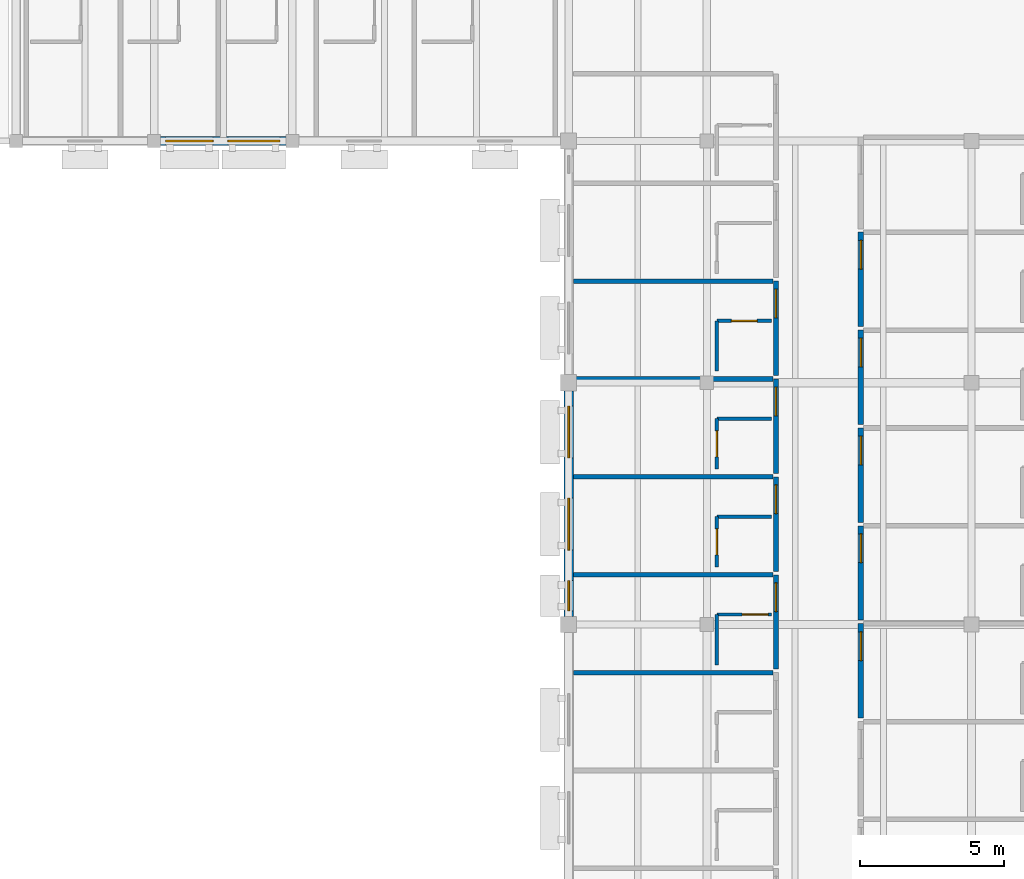
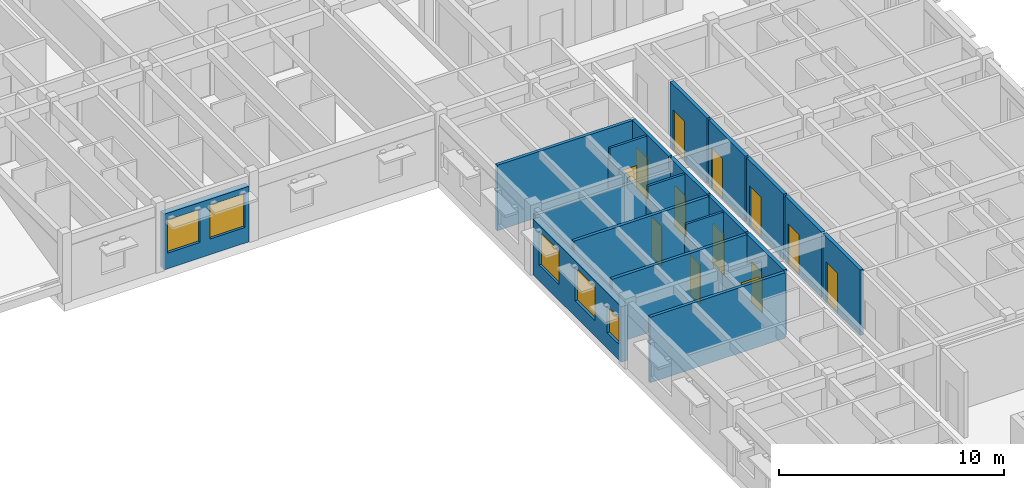
# One storey, part 30 of 40: 24 walls, 13 doors, 5 windows, 18 openings.
"""IFC4 building model written with IfcOpenShell, lengths in metres."""

from ifc_helpers import new_model, si_unit, direction, frame, frame_2d, origin, place, context, subcontext, project, spatial, rectangle, extrude, material, layer, layer_set, type_object, element, fill, save


model = new_model("IFC4")

# Units and contexts
model_context = context("Model", 3, precision=1e-05, world=origin(), true_north=direction((0.0, 1.0)))
body_context = subcontext(model_context, "Body", "Model", "MODEL_VIEW")
ifc_project = project(units=[si_unit("LENGTHUNIT", "METRE"), si_unit("AREAUNIT", "SQUARE_METRE"), si_unit("VOLUMEUNIT", "CUBIC_METRE"), si_unit("PLANEANGLEUNIT", "RADIAN"), si_unit("MASSUNIT", "GRAM", prefix="KILO")], contexts=[model_context])

# Site, building, storey
site_placement = place(None, origin())
site = spatial("IfcSite", under=ifc_project, at=site_placement, CompositionType="ELEMENT")
building_placement = place(site_placement, origin())
building = spatial("IfcBuilding", under=site, at=building_placement, Name="Veldera Park Congress Hotel", CompositionType="ELEMENT")
storey_placement = place(building_placement, frame((0.0, 0.0, 16.199951171875)))
storey = spatial("IfcBuildingStorey", under=building, at=storey_placement, Name="L03", CompositionType="ELEMENT", Elevation=16.199951171875)

# Wall, openings, windows
ifc_material_1 = material(Name="Cross-laminated timber CLT V2M1.1", Category="wood")
ifc_layer_1 = layer(ifc_material_1, 0.320068359375)
ifc_layer_set_1 = layer_set([ifc_layer_1], Name="Cross-laminated timber CLT V2M1.1")
wall_type_1 = type_object("IfcWallType", Name="EW-CLT320", PredefinedType="STANDARD", material=ifc_layer_set_1)
wall_1_placement = place(storey_placement, frame((46.623046875, 27.0, 0.0), z_axis=(0.0, 0.0, 1.0), x_axis=(1.0, 0.0, 0.0)))
wall_1 = element("IfcWall", 1, at=wall_1_placement, inside=storey, type_object=wall_type_1, Name="L03 Exterior Wall EW3-L03-0231", PredefinedType="STANDARD", context=body_context, shape_type="SweptSolid", body=[
    extrude(rectangle(XDim=4.35400390625, YDim=0.320068359375, at=frame_2d((2.177001953125, 0.0))), origin(), (0.0, 0.0, 1.0), 3.01513671875),
])
opening_1_placement = place(wall_1_placement, frame((0.178466796875, 0.0, 0.85009765625)))
opening_1 = element("IfcOpeningElement", 2, at=opening_1_placement, cuts=wall_1, Name="Opening WIN-1650", PredefinedType="OPENING", context=body_context, shape_type="SweptSolid", body=[
    extrude(rectangle(XDim=1.64990234375, YDim=1.800048828125, at=frame_2d((0.824951171875, 0.89990234375))), frame((0.0, 0.172119140625, 0.0), z_axis=(0.0, -1.0, 0.0), x_axis=(1.0, 0.0, 0.0)), (0.0, 0.0, 1.0), 0.343994140625),
])
opening_2_placement = place(wall_1_placement, frame((2.340576171875, 0.0, 0.85009765625)))
opening_2 = element("IfcOpeningElement", 3, at=opening_2_placement, cuts=wall_1, Name="Opening WIN-1800", PredefinedType="OPENING", context=body_context, shape_type="SweptSolid", body=[
    extrude(rectangle(XDim=1.800048828125, YDim=1.85009765625, at=frame_2d((0.89990234375, 0.925048828125))), frame((0.0, 0.172119140625, 0.0), z_axis=(0.0, -1.0, 0.0), x_axis=(1.0, 0.0, 0.0)), (0.0, 0.0, 1.0), 0.343994140625),
])
ifc_material_2 = material(Name="Low-E Triple Insulating Glass Unit (SHGC 0.22)", Category="glass")
window_type_1 = type_object("IfcWindowType", Name="WIN-1650", PartitioningType="SINGLE_PANEL", PredefinedType="WINDOW", material=ifc_material_2)
window_1_placement = place(opening_1_placement, origin())
window_1 = element("IfcWindow", 4, at=window_1_placement, inside=storey, type_object=window_type_1, Name="L03 Window WIN-1650 436", OverallHeight=1.800048828125, OverallWidth=1.64990234375, PartitioningType="SINGLE_PANEL", PredefinedType="WINDOW", context=body_context, shape_type="SweptSolid", body=[
    extrude(rectangle(XDim=1.64990234375, YDim=1.800048828125, at=frame_2d((0.824951171875, 0.89990234375))), frame((0.0, 0.030029296875, 0.0), z_axis=(0.0, -1.0, 0.0), x_axis=(1.0, 0.0, 0.0)), (0.0, 0.0, 1.0), 0.06005859375),
])
fill(opening_1, window_1)
window_type_2 = type_object("IfcWindowType", Name="WIN-1800", PartitioningType="SINGLE_PANEL", PredefinedType="WINDOW", material=ifc_material_2)
window_2_placement = place(opening_2_placement, origin())
window_2 = element("IfcWindow", 5, at=window_2_placement, inside=storey, type_object=window_type_2, Name="L03 Window WIN-1800 437", OverallHeight=1.85009765625, OverallWidth=1.800048828125, PartitioningType="SINGLE_PANEL", PredefinedType="WINDOW", context=body_context, shape_type="SweptSolid", body=[
    extrude(rectangle(XDim=1.800048828125, YDim=1.85009765625, at=frame_2d((0.89990234375, 0.925048828125))), frame((0.0, 0.030029296875, 0.0), z_axis=(0.0, -1.0, 0.0), x_axis=(1.0, 0.0, 0.0)), (0.0, 0.0, 1.0), 0.06005859375),
])
fill(opening_2, window_2)

wall_2_placement = place(storey_placement, frame((60.800048828125, 18.322021484375, 0.0), z_axis=(0.0, 0.0, 1.0), x_axis=(0.0, -1.0, 0.0)))
wall_2 = element("IfcWall", 6, at=wall_2_placement, inside=storey, type_object=wall_type_1, Name="L03 Exterior Wall EW3-L03-0234", PredefinedType="STANDARD", context=body_context, shape_type="SweptSolid", body=[
    extrude(rectangle(XDim=7.843994140625, YDim=0.320068359375, at=frame_2d((3.921875, 0.0))), origin(), (0.0, 0.0, 1.0), 3.01513671875),
])
opening_3_placement = place(wall_2_placement, frame((6.593017578125, 0.0, 0.85009765625)))
opening_3 = element("IfcOpeningElement", 7, at=opening_3_placement, cuts=wall_2, Name="Opening WIN-1050", PredefinedType="OPENING", context=body_context, shape_type="SweptSolid", body=[
    extrude(rectangle(XDim=1.050048828125, YDim=1.449951171875, at=frame_2d((0.52490234375, 0.72509765625))), frame((0.0, 0.172119140625, 0.0), z_axis=(0.0, -1.0, 0.0), x_axis=(1.0, 0.0, 0.0)), (0.0, 0.0, 1.0), 0.343994140625),
])
opening_4_placement = place(wall_2_placement, frame((3.73193359375, 0.0, 0.85009765625)))
opening_4 = element("IfcOpeningElement", 8, at=opening_4_placement, cuts=wall_2, Name="Opening WIN-1800", PredefinedType="OPENING", context=body_context, shape_type="SweptSolid", body=[
    extrude(rectangle(XDim=1.800048828125, YDim=1.85009765625, at=frame_2d((0.89990234375, 0.925048828125))), frame((0.0, 0.172119140625, 0.0), z_axis=(0.0, -1.0, 0.0), x_axis=(1.0, 0.0, 0.0)), (0.0, 0.0, 1.0), 0.343994140625),
])
opening_5_placement = place(wall_2_placement, frame((0.535888671875, 0.0, 0.85009765625)))
opening_5 = element("IfcOpeningElement", 9, at=opening_5_placement, cuts=wall_2, Name="Opening WIN-1800", PredefinedType="OPENING", context=body_context, shape_type="SweptSolid", body=[
    extrude(rectangle(XDim=1.800048828125, YDim=1.85009765625, at=frame_2d((0.89990234375, 0.925048828125))), frame((0.0, 0.172119140625, 0.0), z_axis=(0.0, -1.0, 0.0), x_axis=(1.0, 0.0, 0.0)), (0.0, 0.0, 1.0), 0.343994140625),
])
window_type_3 = type_object("IfcWindowType", Name="WIN-1050", PartitioningType="SINGLE_PANEL", PredefinedType="WINDOW", material=ifc_material_2)
window_3_placement = place(opening_3_placement, origin())
window_3 = element("IfcWindow", 10, at=window_3_placement, inside=storey, type_object=window_type_3, Name="L03 Window WIN-1050 412", OverallHeight=1.449951171875, OverallWidth=1.050048828125, PartitioningType="SINGLE_PANEL", PredefinedType="WINDOW", context=body_context, shape_type="SweptSolid", body=[
    extrude(rectangle(XDim=1.050048828125, YDim=1.449951171875, at=frame_2d((0.52490234375, 0.72509765625))), frame((0.0, 0.030029296875, 0.0), z_axis=(0.0, -1.0, 0.0), x_axis=(1.0, 0.0, 0.0)), (0.0, 0.0, 1.0), 0.06005859375),
])
fill(opening_3, window_3)
window_4_placement = place(opening_4_placement, origin())
window_4 = element("IfcWindow", 11, at=window_4_placement, inside=storey, type_object=window_type_2, Name="L03 Window WIN-1800 413", OverallHeight=1.85009765625, OverallWidth=1.800048828125, PartitioningType="SINGLE_PANEL", PredefinedType="WINDOW", context=body_context, shape_type="SweptSolid", body=[
    extrude(rectangle(XDim=1.800048828125, YDim=1.85009765625, at=frame_2d((0.89990234375, 0.925048828125))), frame((0.0, 0.030029296875, 0.0), z_axis=(0.0, -1.0, 0.0), x_axis=(1.0, 0.0, 0.0)), (0.0, 0.0, 1.0), 0.06005859375),
])
fill(opening_4, window_4)
window_5_placement = place(opening_5_placement, origin())
window_5 = element("IfcWindow", 12, at=window_5_placement, inside=storey, type_object=window_type_2, Name="L03 Window WIN-1800 414", OverallHeight=1.85009765625, OverallWidth=1.800048828125, PartitioningType="SINGLE_PANEL", PredefinedType="WINDOW", context=body_context, shape_type="SweptSolid", body=[
    extrude(rectangle(XDim=1.800048828125, YDim=1.85009765625, at=frame_2d((0.89990234375, 0.925048828125))), frame((0.0, 0.030029296875, 0.0), z_axis=(0.0, -1.0, 0.0), x_axis=(1.0, 0.0, 0.0)), (0.0, 0.0, 1.0), 0.06005859375),
])
fill(opening_5, window_5)

# Wall
ifc_material_3 = material(Name="Fire-Rated Gypsum Board on Cold-Formed Steel Studs", Category="steel")
ifc_layer_2 = layer(ifc_material_3, 0.1201171875)
ifc_layer_set_2 = layer_set([ifc_layer_2], Name="Fire-Rated Gypsum Board on Cold-Formed Steel Studs")
wall_type_2 = type_object("IfcWallType", Name="IW-BATH120", PredefinedType="PARTITIONING", material=ifc_layer_set_2)
wall_3_placement = place(storey_placement, frame((65.949951171875, 8.800048828125, 0.0), z_axis=(0.0, 0.0, 1.0), x_axis=(0.0, 1.0, 0.0)))
element("IfcWall", 13, at=wall_3_placement, inside=storey, type_object=wall_type_2, Name="L03 Partition Wall IW3-L03-00646", PredefinedType="PARTITIONING", context=body_context, shape_type="SweptSolid", body=[
    extrude(rectangle(XDim=1.75, YDim=0.1201171875, at=frame_2d((0.875, 0.0))), origin(), (0.0, 0.0, 1.0), 2.9150390625),
])

# Wall, opening, door
wall_4_placement = place(storey_placement, frame((65.949951171875, 10.550048828125, 0.0), z_axis=(0.0, 0.0, 1.0), x_axis=(1.0, 0.0, 0.0)))
wall_4 = element("IfcWall", 14, at=wall_4_placement, inside=storey, type_object=wall_type_2, Name="L03 Partition Wall IW3-L03-00647", PredefinedType="PARTITIONING", context=body_context, shape_type="SweptSolid", body=[
    extrude(rectangle(XDim=1.900146484375, YDim=0.1201171875, at=frame_2d((0.9501953125, 0.0))), origin(), (0.0, 0.0, 1.0), 2.9150390625),
])
opening_6_placement = place(wall_4_placement, frame((0.8798828125, 0.0, 0.0)))
opening_6 = element("IfcOpeningElement", 15, at=opening_6_placement, cuts=wall_4, Name="Opening ID-BATH090", PredefinedType="OPENING", context=body_context, shape_type="SweptSolid", body=[
    extrude(rectangle(XDim=0.89990234375, YDim=2.14990234375, at=frame_2d((0.449951171875, 1.074951171875))), frame((0.0, 0.072021484375, 0.0), z_axis=(0.0, -1.0, 0.0), x_axis=(1.0, 0.0, 0.0)), (0.0, 0.0, 1.0), 0.14404296875),
])
ifc_material_4 = material(Name="Solid Core White Oak Architectural Door", Category="wood")
door_type_1 = type_object("IfcDoorType", Name="ID-BATH090", OperationType="NOTDEFINED", PredefinedType="DOOR", material=ifc_material_4)
door_1_placement = place(opening_6_placement, origin())
door_1 = element("IfcDoor", 16, at=door_1_placement, inside=storey, type_object=door_type_1, Name="L03 En-suite 063 Door ID3-L03-0265 (DR3-ID3-L03-0265)", OperationType="SINGLE_SWING_LEFT", OverallHeight=2.14990234375, OverallWidth=0.89990234375, PredefinedType="DOOR", context=body_context, shape_type="SweptSolid", body=[
    extrude(rectangle(XDim=0.89990234375, YDim=2.14990234375, at=frame_2d((0.449951171875, 1.074951171875))), frame((0.0, 0.02490234375, 0.0), z_axis=(0.0, -1.0, 0.0), x_axis=(1.0, 0.0, 0.0)), (0.0, 0.0, 1.0), 0.050048828125),
])
fill(opening_6, door_1)

wall_5_placement = place(storey_placement, frame((65.949951171875, 12.199951171875, 0.0), z_axis=(0.0, 0.0, 1.0), x_axis=(0.0, 1.0, 0.0)))
wall_5 = element("IfcWall", 17, at=wall_5_placement, inside=storey, type_object=wall_type_2, Name="L03 Partition Wall IW3-L03-00650", PredefinedType="PARTITIONING", context=body_context, shape_type="SweptSolid", body=[
    extrude(rectangle(XDim=1.75, YDim=0.1201171875, at=frame_2d((0.875, 0.0))), origin(), (0.0, 0.0, 1.0), 3.01513671875),
])
opening_7_placement = place(wall_5_placement, frame((0.425048828125, 0.0, 0.0)))
opening_7 = element("IfcOpeningElement", 18, at=opening_7_placement, cuts=wall_5, Name="Opening ID-BATH090", PredefinedType="OPENING", context=body_context, shape_type="SweptSolid", body=[
    extrude(rectangle(XDim=0.89990234375, YDim=2.14990234375, at=frame_2d((0.449951171875, 1.074951171875))), frame((0.0, 0.072021484375, 0.0), z_axis=(0.0, -1.0, 0.0), x_axis=(1.0, 0.0, 0.0)), (0.0, 0.0, 1.0), 0.14404296875),
])
door_2_placement = place(opening_7_placement, origin())
door_2 = element("IfcDoor", 19, at=door_2_placement, inside=storey, type_object=door_type_1, Name="L03 En-suite 064 Door ID3-L03-0267 (DR3-ID3-L03-0267)", OperationType="SINGLE_SWING_LEFT", OverallHeight=2.14990234375, OverallWidth=0.89990234375, PredefinedType="DOOR", context=body_context, shape_type="SweptSolid", body=[
    extrude(rectangle(XDim=0.89990234375, YDim=2.14990234375, at=frame_2d((0.449951171875, 1.074951171875))), frame((0.0, 0.02490234375, 0.0), z_axis=(0.0, -1.0, 0.0), x_axis=(1.0, 0.0, 0.0)), (0.0, 0.0, 1.0), 0.050048828125),
])
fill(opening_7, door_2)

# Wall
wall_6_placement = place(storey_placement, frame((65.949951171875, 13.949951171875, 0.0), z_axis=(0.0, 0.0, 1.0), x_axis=(1.0, 0.0, 0.0)))
element("IfcWall", 20, at=wall_6_placement, inside=storey, type_object=wall_type_2, Name="L03 Partition Wall IW3-L03-00651", PredefinedType="PARTITIONING", context=body_context, shape_type="SweptSolid", body=[
    extrude(rectangle(XDim=1.900146484375, YDim=0.1201171875, at=frame_2d((0.9501953125, 0.0))), origin(), (0.0, 0.0, 1.0), 3.56005859375),
])

# Wall, opening, door
wall_7_placement = place(storey_placement, frame((65.949951171875, 15.60009765625, 0.0), z_axis=(0.0, 0.0, 1.0), x_axis=(0.0, 1.0, 0.0)))
wall_7 = element("IfcWall", 21, at=wall_7_placement, inside=storey, type_object=wall_type_2, Name="L03 Partition Wall IW3-L03-00654", PredefinedType="PARTITIONING", context=body_context, shape_type="SweptSolid", body=[
    extrude(rectangle(XDim=1.75, YDim=0.1201171875, at=frame_2d((0.875, 0.0))), origin(), (0.0, 0.0, 1.0), 3.01513671875),
])
opening_8_placement = place(wall_7_placement, frame((0.425048828125, 0.0, 0.0)))
opening_8 = element("IfcOpeningElement", 22, at=opening_8_placement, cuts=wall_7, Name="Opening ID-BATH090", PredefinedType="OPENING", context=body_context, shape_type="SweptSolid", body=[
    extrude(rectangle(XDim=0.89990234375, YDim=2.14990234375, at=frame_2d((0.449951171875, 1.074951171875))), frame((0.0, 0.072021484375, 0.0), z_axis=(0.0, -1.0, 0.0), x_axis=(1.0, 0.0, 0.0)), (0.0, 0.0, 1.0), 0.14404296875),
])
door_3_placement = place(opening_8_placement, origin())
door_3 = element("IfcDoor", 23, at=door_3_placement, inside=storey, type_object=door_type_1, Name="L03 En-suite 065 Door ID3-L03-0269 (DR3-ID3-L03-0269)", OperationType="SINGLE_SWING_LEFT", OverallHeight=2.14990234375, OverallWidth=0.89990234375, PredefinedType="DOOR", context=body_context, shape_type="SweptSolid", body=[
    extrude(rectangle(XDim=0.89990234375, YDim=2.14990234375, at=frame_2d((0.449951171875, 1.074951171875))), frame((0.0, 0.02490234375, 0.0), z_axis=(0.0, -1.0, 0.0), x_axis=(1.0, 0.0, 0.0)), (0.0, 0.0, 1.0), 0.050048828125),
])
fill(opening_8, door_3)

# Walls
wall_8_placement = place(storey_placement, frame((65.949951171875, 17.35009765625, 0.0), z_axis=(0.0, 0.0, 1.0), x_axis=(1.0, 0.0, 0.0)))
element("IfcWall", 24, at=wall_8_placement, inside=storey, type_object=wall_type_2, Name="L03 Partition Wall IW3-L03-00655", PredefinedType="PARTITIONING", context=body_context, shape_type="SweptSolid", body=[
    extrude(rectangle(XDim=1.900146484375, YDim=0.1201171875, at=frame_2d((0.9501953125, 0.0))), origin(), (0.0, 0.0, 1.0), 3.56005859375),
])
wall_9_placement = place(storey_placement, frame((65.949951171875, 19.0, 0.0), z_axis=(0.0, 0.0, 1.0), x_axis=(0.0, 1.0, 0.0)))
element("IfcWall", 25, at=wall_9_placement, inside=storey, type_object=wall_type_2, Name="L03 Partition Wall IW3-L03-00658", PredefinedType="PARTITIONING", context=body_context, shape_type="SweptSolid", body=[
    extrude(rectangle(XDim=1.75, YDim=0.1201171875, at=frame_2d((0.875, 0.0))), origin(), (0.0, 0.0, 1.0), 3.01513671875),
])

# Wall, opening, door
wall_10_placement = place(storey_placement, frame((65.949951171875, 20.75, 0.0), z_axis=(0.0, 0.0, 1.0), x_axis=(1.0, 0.0, 0.0)))
wall_10 = element("IfcWall", 26, at=wall_10_placement, inside=storey, type_object=wall_type_2, Name="L03 Partition Wall IW3-L03-00659", PredefinedType="PARTITIONING", context=body_context, shape_type="SweptSolid", body=[
    extrude(rectangle(XDim=1.900146484375, YDim=0.1201171875, at=frame_2d((0.9501953125, 0.0))), origin(), (0.0, 0.0, 1.0), 3.56005859375),
])
opening_9_placement = place(wall_10_placement, frame((0.5, 0.0, 0.0)))
opening_9 = element("IfcOpeningElement", 27, at=opening_9_placement, cuts=wall_10, Name="Opening ID-BATH090", PredefinedType="OPENING", context=body_context, shape_type="SweptSolid", body=[
    extrude(rectangle(XDim=0.89990234375, YDim=2.14990234375, at=frame_2d((0.449951171875, 1.074951171875))), frame((0.0, 0.072021484375, 0.0), z_axis=(0.0, -1.0, 0.0), x_axis=(1.0, 0.0, 0.0)), (0.0, 0.0, 1.0), 0.14404296875),
])
door_4_placement = place(opening_9_placement, origin())
door_4 = element("IfcDoor", 28, at=door_4_placement, inside=storey, type_object=door_type_1, Name="L03 En-suite 066 Door ID3-L03-0271 (DR3-ID3-L03-0271)", OperationType="SINGLE_SWING_LEFT", OverallHeight=2.14990234375, OverallWidth=0.89990234375, PredefinedType="DOOR", context=body_context, shape_type="SweptSolid", body=[
    extrude(rectangle(XDim=0.89990234375, YDim=2.14990234375, at=frame_2d((0.449951171875, 1.074951171875))), frame((0.0, 0.02490234375, 0.0), z_axis=(0.0, -1.0, 0.0), x_axis=(1.0, 0.0, 0.0)), (0.0, 0.0, 1.0), 0.050048828125),
])
fill(opening_9, door_4)

ifc_layer_3 = layer(ifc_material_3, 0.179931640625)
ifc_layer_set_3 = layer_set([ifc_layer_3], Name="Fire-Rated Gypsum Board on Cold-Formed Steel Studs")
wall_type_3 = type_object("IfcWallType", Name="IW-CORR180", PredefinedType="PARTITIONING", material=ifc_layer_set_3)
wall_11_placement = place(storey_placement, frame((68.0, 8.64990234375, 0.0), z_axis=(0.0, 0.0, 1.0), x_axis=(0.0, 1.0, 0.0)))
wall_11 = element("IfcWall", 29, at=wall_11_placement, inside=storey, type_object=wall_type_3, Name="L03 Corridor Wall IW3-L03-00644", PredefinedType="PARTITIONING", context=body_context, shape_type="SweptSolid", body=[
    extrude(rectangle(XDim=3.280029296875, YDim=0.179931640625, at=frame_2d((1.64013671875, 0.0))), origin(), (0.0, 0.0, 1.0), 3.56005859375),
])
opening_10_placement = place(wall_11_placement, frame((2.0, 0.0, 0.0)))
opening_10 = element("IfcOpeningElement", 30, at=opening_10_placement, cuts=wall_11, Name="Opening ID-UNIT100", PredefinedType="OPENING", context=body_context, shape_type="SweptSolid", body=[
    extrude(rectangle(XDim=1.0, YDim=2.199951171875, at=frame_2d((0.5, 1.10009765625))), frame((0.0, 0.10205078125, 0.0), z_axis=(0.0, -1.0, 0.0), x_axis=(1.0, 0.0, 0.0)), (0.0, 0.0, 1.0), 0.203857421875),
])
door_type_2 = type_object("IfcDoorType", Name="ID-UNIT100", OperationType="NOTDEFINED", PredefinedType="DOOR", material=ifc_material_4)
door_5_placement = place(opening_10_placement, origin())
door_5 = element("IfcDoor", 31, at=door_5_placement, inside=storey, type_object=door_type_2, Name="L03 Guestroom 063 Entry Door (DR3-UD3-L03-063)", OperationType="SINGLE_SWING_RIGHT", OverallHeight=2.199951171875, OverallWidth=1.0, PredefinedType="DOOR", context=body_context, shape_type="SweptSolid", body=[
    extrude(rectangle(XDim=1.0, YDim=2.199951171875, at=frame_2d((0.5, 1.10009765625))), frame((0.0, 0.02490234375, 0.0), z_axis=(0.0, -1.0, 0.0), x_axis=(1.0, 0.0, 0.0)), (0.0, 0.0, 1.0), 0.050048828125),
])
fill(opening_10, door_5)

wall_12_placement = place(storey_placement, frame((68.0, 12.050048828125, 0.0), z_axis=(0.0, 0.0, 1.0), x_axis=(0.0, 1.0, 0.0)))
wall_12 = element("IfcWall", 32, at=wall_12_placement, inside=storey, type_object=wall_type_3, Name="L03 Corridor Wall IW3-L03-00648", PredefinedType="PARTITIONING", context=body_context, shape_type="SweptSolid", body=[
    extrude(rectangle(XDim=3.280029296875, YDim=0.179931640625, at=frame_2d((1.64013671875, 0.0))), origin(), (0.0, 0.0, 1.0), 3.56005859375),
])
opening_11_placement = place(wall_12_placement, frame((2.0, 0.0, 0.0)))
opening_11 = element("IfcOpeningElement", 33, at=opening_11_placement, cuts=wall_12, Name="Opening ID-UNIT100", PredefinedType="OPENING", context=body_context, shape_type="SweptSolid", body=[
    extrude(rectangle(XDim=1.0, YDim=2.199951171875, at=frame_2d((0.5, 1.10009765625))), frame((0.0, 0.10205078125, 0.0), z_axis=(0.0, -1.0, 0.0), x_axis=(1.0, 0.0, 0.0)), (0.0, 0.0, 1.0), 0.203857421875),
])
door_6_placement = place(opening_11_placement, origin())
door_6 = element("IfcDoor", 34, at=door_6_placement, inside=storey, type_object=door_type_2, Name="L03 Guestroom 064 Entry Door (DR3-UD3-L03-064)", OperationType="SINGLE_SWING_RIGHT", OverallHeight=2.199951171875, OverallWidth=1.0, PredefinedType="DOOR", context=body_context, shape_type="SweptSolid", body=[
    extrude(rectangle(XDim=1.0, YDim=2.199951171875, at=frame_2d((0.5, 1.10009765625))), frame((0.0, 0.02490234375, 0.0), z_axis=(0.0, -1.0, 0.0), x_axis=(1.0, 0.0, 0.0)), (0.0, 0.0, 1.0), 0.050048828125),
])
fill(opening_11, door_6)

wall_13_placement = place(storey_placement, frame((68.0, 15.449951171875, 0.0), z_axis=(0.0, 0.0, 1.0), x_axis=(0.0, 1.0, 0.0)))
wall_13 = element("IfcWall", 35, at=wall_13_placement, inside=storey, type_object=wall_type_3, Name="L03 Corridor Wall IW3-L03-00652", PredefinedType="PARTITIONING", context=body_context, shape_type="SweptSolid", body=[
    extrude(rectangle(XDim=3.280029296875, YDim=0.179931640625, at=frame_2d((1.64013671875, 0.0))), origin(), (0.0, 0.0, 1.0), 3.56005859375),
])
opening_12_placement = place(wall_13_placement, frame((2.0, 0.0, 0.0)))
opening_12 = element("IfcOpeningElement", 36, at=opening_12_placement, cuts=wall_13, Name="Opening ID-UNIT100", PredefinedType="OPENING", context=body_context, shape_type="SweptSolid", body=[
    extrude(rectangle(XDim=1.0, YDim=2.199951171875, at=frame_2d((0.5, 1.10009765625))), frame((0.0, 0.10205078125, 0.0), z_axis=(0.0, -1.0, 0.0), x_axis=(1.0, 0.0, 0.0)), (0.0, 0.0, 1.0), 0.203857421875),
])
door_7_placement = place(opening_12_placement, origin())
door_7 = element("IfcDoor", 37, at=door_7_placement, inside=storey, type_object=door_type_2, Name="L03 Guestroom 065 Entry Door (DR3-UD3-L03-065)", OperationType="SINGLE_SWING_RIGHT", OverallHeight=2.199951171875, OverallWidth=1.0, PredefinedType="DOOR", context=body_context, shape_type="SweptSolid", body=[
    extrude(rectangle(XDim=1.0, YDim=2.199951171875, at=frame_2d((0.5, 1.10009765625))), frame((0.0, 0.02490234375, 0.0), z_axis=(0.0, -1.0, 0.0), x_axis=(1.0, 0.0, 0.0)), (0.0, 0.0, 1.0), 0.050048828125),
])
fill(opening_12, door_7)

wall_14_placement = place(storey_placement, frame((68.0, 18.85009765625, 0.0), z_axis=(0.0, 0.0, 1.0), x_axis=(0.0, 1.0, 0.0)))
wall_14 = element("IfcWall", 38, at=wall_14_placement, inside=storey, type_object=wall_type_3, Name="L03 Corridor Wall IW3-L03-00656", PredefinedType="PARTITIONING", context=body_context, shape_type="SweptSolid", body=[
    extrude(rectangle(XDim=3.27978515625, YDim=0.179931640625, at=frame_2d((1.639892578125, 0.0))), origin(), (0.0, 0.0, 1.0), 3.56005859375),
])
opening_13_placement = place(wall_14_placement, frame((2.0, 0.0, 0.0)))
opening_13 = element("IfcOpeningElement", 39, at=opening_13_placement, cuts=wall_14, Name="Opening ID-UNIT100", PredefinedType="OPENING", context=body_context, shape_type="SweptSolid", body=[
    extrude(rectangle(XDim=1.0, YDim=2.199951171875, at=frame_2d((0.5, 1.10009765625))), frame((0.0, 0.10205078125, 0.0), z_axis=(0.0, -1.0, 0.0), x_axis=(1.0, 0.0, 0.0)), (0.0, 0.0, 1.0), 0.203857421875),
])
door_8_placement = place(opening_13_placement, origin())
door_8 = element("IfcDoor", 40, at=door_8_placement, inside=storey, type_object=door_type_2, Name="L03 Guestroom 066 Entry Door (DR3-UD3-L03-066)", OperationType="SINGLE_SWING_RIGHT", OverallHeight=2.199951171875, OverallWidth=1.0, PredefinedType="DOOR", context=body_context, shape_type="SweptSolid", body=[
    extrude(rectangle(XDim=1.0, YDim=2.199951171875, at=frame_2d((0.5, 1.10009765625))), frame((0.0, 0.02490234375, 0.0), z_axis=(0.0, -1.0, 0.0), x_axis=(1.0, 0.0, 0.0)), (0.0, 0.0, 1.0), 0.050048828125),
])
fill(opening_13, door_8)

wall_15_placement = place(storey_placement, frame((70.949951171875, 10.22998046875, 0.0), z_axis=(0.0, 0.0, 1.0), x_axis=(0.0, -1.0, 0.0)))
wall_15 = element("IfcWall", 41, at=wall_15_placement, inside=storey, type_object=wall_type_3, Name="L03 Corridor Wall IW3-L03-00730", PredefinedType="PARTITIONING", context=body_context, shape_type="SweptSolid", body=[
    extrude(rectangle(XDim=3.280029296875, YDim=0.179931640625, at=frame_2d((1.64013671875, 0.0))), origin(), (0.0, 0.0, 1.0), 3.56005859375),
])
opening_14_placement = place(wall_15_placement, frame((0.280029296875, 0.0, 0.0)))
opening_14 = element("IfcOpeningElement", 42, at=opening_14_placement, cuts=wall_15, Name="Opening ID-UNIT100", PredefinedType="OPENING", context=body_context, shape_type="SweptSolid", body=[
    extrude(rectangle(XDim=1.0, YDim=2.199951171875, at=frame_2d((0.5, 1.10009765625))), frame((0.0, 0.10205078125, 0.0), z_axis=(0.0, -1.0, 0.0), x_axis=(1.0, 0.0, 0.0)), (0.0, 0.0, 1.0), 0.203857421875),
])
door_9_placement = place(opening_14_placement, origin())
door_9 = element("IfcDoor", 43, at=door_9_placement, inside=storey, type_object=door_type_2, Name="L03 Guestroom 081 Entry Door (DR3-UD3-L03-081)", OperationType="SINGLE_SWING_RIGHT", OverallHeight=2.199951171875, OverallWidth=1.0, PredefinedType="DOOR", context=body_context, shape_type="SweptSolid", body=[
    extrude(rectangle(XDim=1.0, YDim=2.199951171875, at=frame_2d((0.5, 1.10009765625))), frame((0.0, 0.02490234375, 0.0), z_axis=(0.0, -1.0, 0.0), x_axis=(1.0, 0.0, 0.0)), (0.0, 0.0, 1.0), 0.050048828125),
])
fill(opening_14, door_9)

wall_16_placement = place(storey_placement, frame((70.949951171875, 13.6298828125, 0.0), z_axis=(0.0, 0.0, 1.0), x_axis=(0.0, -1.0, 0.0)))
wall_16 = element("IfcWall", 44, at=wall_16_placement, inside=storey, type_object=wall_type_3, Name="L03 Corridor Wall IW3-L03-00735", PredefinedType="PARTITIONING", context=body_context, shape_type="SweptSolid", body=[
    extrude(rectangle(XDim=3.27978515625, YDim=0.179931640625, at=frame_2d((1.639892578125, 0.0))), origin(), (0.0, 0.0, 1.0), 3.56005859375),
])
opening_15_placement = place(wall_16_placement, frame((0.280029296875, 0.0, 0.0)))
opening_15 = element("IfcOpeningElement", 45, at=opening_15_placement, cuts=wall_16, Name="Opening ID-UNIT100", PredefinedType="OPENING", context=body_context, shape_type="SweptSolid", body=[
    extrude(rectangle(XDim=1.0, YDim=2.199951171875, at=frame_2d((0.5, 1.10009765625))), frame((0.0, 0.10205078125, 0.0), z_axis=(0.0, -1.0, 0.0), x_axis=(1.0, 0.0, 0.0)), (0.0, 0.0, 1.0), 0.203857421875),
])
door_10_placement = place(opening_15_placement, origin())
door_10 = element("IfcDoor", 46, at=door_10_placement, inside=storey, type_object=door_type_2, Name="L03 Guestroom 082 Entry Door (DR3-UD3-L03-082)", OperationType="SINGLE_SWING_RIGHT", OverallHeight=2.199951171875, OverallWidth=1.0, PredefinedType="DOOR", context=body_context, shape_type="SweptSolid", body=[
    extrude(rectangle(XDim=1.0, YDim=2.199951171875, at=frame_2d((0.5, 1.10009765625))), frame((0.0, 0.02490234375, 0.0), z_axis=(0.0, -1.0, 0.0), x_axis=(1.0, 0.0, 0.0)), (0.0, 0.0, 1.0), 0.050048828125),
])
fill(opening_15, door_10)

wall_17_placement = place(storey_placement, frame((70.949951171875, 17.030029296875, 0.0), z_axis=(0.0, 0.0, 1.0), x_axis=(0.0, -1.0, 0.0)))
wall_17 = element("IfcWall", 47, at=wall_17_placement, inside=storey, type_object=wall_type_3, Name="L03 Corridor Wall IW3-L03-00740", PredefinedType="PARTITIONING", context=body_context, shape_type="SweptSolid", body=[
    extrude(rectangle(XDim=3.280029296875, YDim=0.179931640625, at=frame_2d((1.64013671875, 0.0))), origin(), (0.0, 0.0, 1.0), 3.56005859375),
])
opening_16_placement = place(wall_17_placement, frame((0.280029296875, 0.0, 0.0)))
opening_16 = element("IfcOpeningElement", 48, at=opening_16_placement, cuts=wall_17, Name="Opening ID-UNIT100", PredefinedType="OPENING", context=body_context, shape_type="SweptSolid", body=[
    extrude(rectangle(XDim=1.0, YDim=2.199951171875, at=frame_2d((0.5, 1.10009765625))), frame((0.0, 0.10205078125, 0.0), z_axis=(0.0, -1.0, 0.0), x_axis=(1.0, 0.0, 0.0)), (0.0, 0.0, 1.0), 0.203857421875),
])
door_11_placement = place(opening_16_placement, origin())
door_11 = element("IfcDoor", 49, at=door_11_placement, inside=storey, type_object=door_type_2, Name="L03 Guestroom 083 Entry Door (DR3-UD3-L03-083)", OperationType="SINGLE_SWING_RIGHT", OverallHeight=2.199951171875, OverallWidth=1.0, PredefinedType="DOOR", context=body_context, shape_type="SweptSolid", body=[
    extrude(rectangle(XDim=1.0, YDim=2.199951171875, at=frame_2d((0.5, 1.10009765625))), frame((0.0, 0.02490234375, 0.0), z_axis=(0.0, -1.0, 0.0), x_axis=(1.0, 0.0, 0.0)), (0.0, 0.0, 1.0), 0.050048828125),
])
fill(opening_16, door_11)

wall_18_placement = place(storey_placement, frame((70.949951171875, 20.429931640625, 0.0), z_axis=(0.0, 0.0, 1.0), x_axis=(0.0, -1.0, 0.0)))
wall_18 = element("IfcWall", 50, at=wall_18_placement, inside=storey, type_object=wall_type_3, Name="L03 Corridor Wall IW3-L03-00745", PredefinedType="PARTITIONING", context=body_context, shape_type="SweptSolid", body=[
    extrude(rectangle(XDim=3.280029296875, YDim=0.179931640625, at=frame_2d((1.64013671875, 0.0))), origin(), (0.0, 0.0, 1.0), 3.56005859375),
])
opening_17_placement = place(wall_18_placement, frame((0.280029296875, 0.0, 0.0)))
opening_17 = element("IfcOpeningElement", 51, at=opening_17_placement, cuts=wall_18, Name="Opening ID-UNIT100", PredefinedType="OPENING", context=body_context, shape_type="SweptSolid", body=[
    extrude(rectangle(XDim=1.0, YDim=2.199951171875, at=frame_2d((0.5, 1.10009765625))), frame((0.0, 0.10205078125, 0.0), z_axis=(0.0, -1.0, 0.0), x_axis=(1.0, 0.0, 0.0)), (0.0, 0.0, 1.0), 0.203857421875),
])
door_12_placement = place(opening_17_placement, origin())
door_12 = element("IfcDoor", 52, at=door_12_placement, inside=storey, type_object=door_type_2, Name="L03 Guestroom 084 Entry Door (DR3-UD3-L03-084)", OperationType="SINGLE_SWING_RIGHT", OverallHeight=2.199951171875, OverallWidth=1.0, PredefinedType="DOOR", context=body_context, shape_type="SweptSolid", body=[
    extrude(rectangle(XDim=1.0, YDim=2.199951171875, at=frame_2d((0.5, 1.10009765625))), frame((0.0, 0.02490234375, 0.0), z_axis=(0.0, -1.0, 0.0), x_axis=(1.0, 0.0, 0.0)), (0.0, 0.0, 1.0), 0.050048828125),
])
fill(opening_17, door_12)

wall_19_placement = place(storey_placement, frame((70.949951171875, 23.830078125, 0.0), z_axis=(0.0, 0.0, 1.0), x_axis=(0.0, -1.0, 0.0)))
wall_19 = element("IfcWall", 53, at=wall_19_placement, inside=storey, type_object=wall_type_3, Name="L03 Corridor Wall IW3-L03-00750", PredefinedType="PARTITIONING", context=body_context, shape_type="SweptSolid", body=[
    extrude(rectangle(XDim=3.280029296875, YDim=0.179931640625, at=frame_2d((1.64013671875, 0.0))), origin(), (0.0, 0.0, 1.0), 3.56005859375),
])
opening_18_placement = place(wall_19_placement, frame((0.280029296875, 0.0, 0.0)))
opening_18 = element("IfcOpeningElement", 54, at=opening_18_placement, cuts=wall_19, Name="Opening ID-UNIT100", PredefinedType="OPENING", context=body_context, shape_type="SweptSolid", body=[
    extrude(rectangle(XDim=1.0, YDim=2.199951171875, at=frame_2d((0.5, 1.10009765625))), frame((0.0, 0.10205078125, 0.0), z_axis=(0.0, -1.0, 0.0), x_axis=(1.0, 0.0, 0.0)), (0.0, 0.0, 1.0), 0.203857421875),
])
door_13_placement = place(opening_18_placement, origin())
door_13 = element("IfcDoor", 55, at=door_13_placement, inside=storey, type_object=door_type_2, Name="L03 Guestroom 085 Entry Door (DR3-UD3-L03-085)", OperationType="SINGLE_SWING_RIGHT", OverallHeight=2.199951171875, OverallWidth=1.0, PredefinedType="DOOR", context=body_context, shape_type="SweptSolid", body=[
    extrude(rectangle(XDim=1.0, YDim=2.199951171875, at=frame_2d((0.5, 1.10009765625))), frame((0.0, 0.02490234375, 0.0), z_axis=(0.0, -1.0, 0.0), x_axis=(1.0, 0.0, 0.0)), (0.0, 0.0, 1.0), 0.050048828125),
])
fill(opening_18, door_13)

# Walls
ifc_layer_4 = layer(ifc_material_1, 0.159912109375)
ifc_layer_set_4 = layer_set([ifc_layer_4], Name="Cross-laminated timber CLT V2M1.1")
wall_type_4 = type_object("IfcWallType", Name="IW-UNIT160", PredefinedType="PARTITIONING", material=ifc_layer_set_4)
for number, where, z_axis, x_axis, name in (
    (56, (60.9599609375, 8.530029296875, 0.0), (0.0, 0.0, 1.0), (1.0, 0.0, 0.0), "L03 Partition Wall IW3-L03-00641"),
    (57, (60.9599609375, 11.929931640625, 0.0), (0.0, 0.0, 1.0), (1.0, 0.0, 0.0), "L03 Partition Wall IW3-L03-00645"),
    (58, (60.9599609375, 15.330078125, 0.0), (0.0, 0.0, 1.0), (1.0, 0.0, 0.0), "L03 Partition Wall IW3-L03-00649"),
):
    element("IfcWall", number, at=place(storey_placement, frame(where, z_axis=z_axis, x_axis=x_axis)), inside=storey, type_object=wall_type_4, Name=name, PredefinedType="PARTITIONING", context=body_context, shape_type="SweptSolid", body=[
        extrude(rectangle(XDim=6.93994140625, YDim=0.159912109375, at=frame_2d((3.469970703125, 0.0))), origin(), (0.0, 0.0, 1.0), 3.56005859375),
    ])
wall_20_placement = place(storey_placement, frame((60.9599609375, 18.72998046875, 0.0), z_axis=(0.0, 0.0, 1.0), x_axis=(1.0, 0.0, 0.0)))
element("IfcWall", 59, at=wall_20_placement, inside=storey, type_object=wall_type_4, Name="L03 Partition Wall IW3-L03-00653", PredefinedType="PARTITIONING", context=body_context, shape_type="SweptSolid", body=[
    extrude(rectangle(XDim=6.93994140625, YDim=0.159912109375, at=frame_2d((3.469970703125, 0.0))), origin(), (0.0, 0.0, 1.0), 2.9150390625),
])
wall_21_placement = place(storey_placement, frame((60.9599609375, 22.1298828125, 0.0), z_axis=(0.0, 0.0, 1.0), x_axis=(1.0, 0.0, 0.0)))
element("IfcWall", 60, at=wall_21_placement, inside=storey, type_object=wall_type_4, Name="L03 Partition Wall IW3-L03-00657", PredefinedType="PARTITIONING", context=body_context, shape_type="SweptSolid", body=[
    extrude(rectangle(XDim=6.93994140625, YDim=0.159912109375, at=frame_2d((3.469970703125, 0.0))), origin(), (0.0, 0.0, 1.0), 3.56005859375),
])

save(model, "model.ifc")
